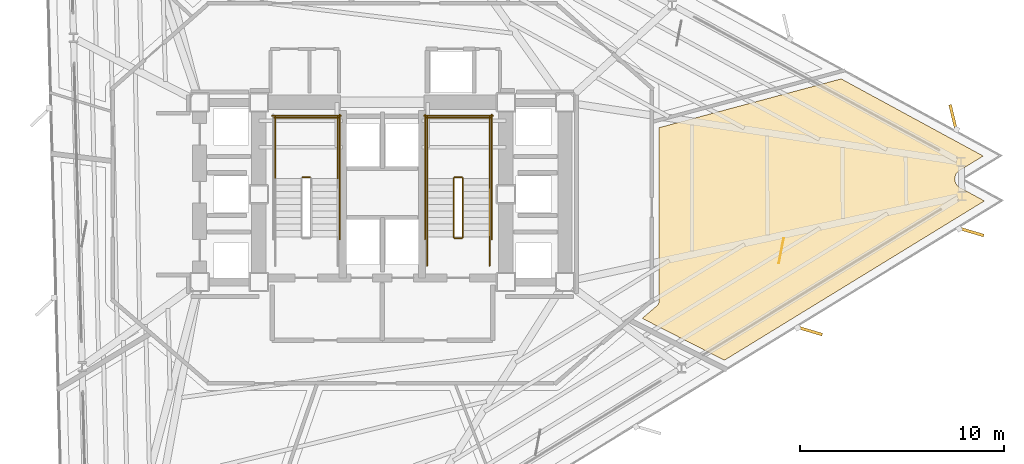
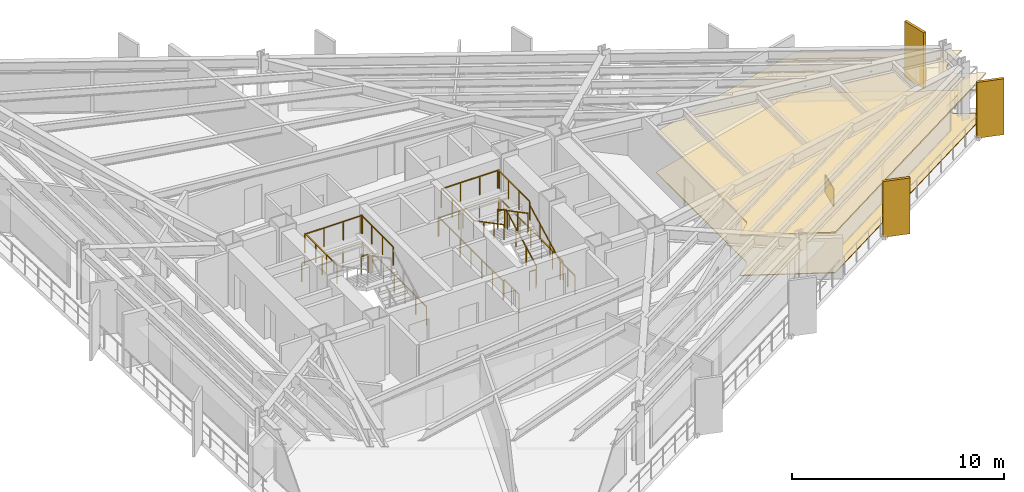
# One storey, part 13 of 14: 20 railings, 3 coverings, 3 shading devices.
"""IFC4 building model written with IfcOpenShell, lengths in metres."""

from ifc_helpers import new_model, si_unit, direction, frame, origin, origin_2d, place, context, subcontext, project, spatial, polyline, rectangle, outline, extrude, material, layer, layer_set, type_object, element, save


model = new_model("IFC4")

# Units and contexts
model_context = context("Model", 3, precision=1e-05, world=origin(), true_north=direction((0.0, 1.0)))
body_context = subcontext(model_context, "Body", "Model", "MODEL_VIEW")
ifc_project = project(units=[si_unit("LENGTHUNIT", "METRE"), si_unit("AREAUNIT", "SQUARE_METRE"), si_unit("VOLUMEUNIT", "CUBIC_METRE"), si_unit("PLANEANGLEUNIT", "RADIAN"), si_unit("MASSUNIT", "GRAM", prefix="KILO")], contexts=[model_context])

# Site, building, storey
site_placement = place(None, origin())
site = spatial("IfcSite", under=ifc_project, at=site_placement, CompositionType="ELEMENT")
building_placement = place(site_placement, origin())
building = spatial("IfcBuilding", under=site, at=building_placement, Name="Rocaltana Carrier Exchange", CompositionType="ELEMENT")
storey_placement = place(building_placement, frame((0.0, 0.0, 35.679931640625)))
storey = spatial("IfcBuildingStorey", under=building, at=storey_placement, Name="L11", CompositionType="ELEMENT", Elevation=35.679931640625)

# Coverings
ifc_material_1 = material(Name="Honed Bogota Sandstone Tile", Category="masonry")
ifc_layer_1 = layer(ifc_material_1, 0.0400390625)
ifc_layer_set_1 = layer_set([ifc_layer_1], Name="Honed Bogota Sandstone Tile")
covering_type_1 = type_object("IfcCoveringType", Name="Honed Stone Lobby Flooring 40", PredefinedType="FLOORING", material=ifc_layer_set_1)
covering_1_placement = place(storey_placement, origin())
element("IfcCovering", 1, at=covering_1_placement, inside=storey, type_object=covering_type_1, Name="L11 Executive Peering Boardroom Finish Floor", PredefinedType="FLOORING", context=body_context, shape_type="SweptSolid", body=[
    extrude(outline(polyline([(29.427490234375, 1.87109375), (28.260498046875, 1.156005859375), (28.248779296875, 1.148193359375), (28.232421875, 1.136962890625), (28.210205078125, 1.1201171875), (28.19482421875, 1.107421875), (28.17431640625, 1.08837890625), (28.160400390625, 1.073974609375), (28.14208984375, 1.052978515625), (28.129638671875, 1.03759765625), (28.11328125, 1.014892578125), (28.1025390625, 0.998046875), (28.088623046875, 0.973876953125), (28.07958984375, 0.9560546875), (28.068115234375, 0.9306640625), (28.060791015625, 0.912109375), (28.052001953125, 0.885498046875), (28.046630859375, 0.866455078125), (28.04052734375, 0.839111328125), (28.037109375, 0.819580078125), (28.03369140625, 0.791748046875), (28.031982421875, 0.77197265625), (28.031494140625, 0.743896484375), (28.031982421875, 0.72412109375), (28.0341796875, 0.6962890625), (28.03662109375, 0.676513671875), (28.04150390625, 0.64892578125), (28.0458984375, 0.629638671875), (28.053466796875, 0.602783203125), (28.059814453125, 0.583740234375), (28.070068359375, 0.557861328125), (28.078369140625, 0.539794921875), (28.091064453125, 0.514892578125), (28.10107421875, 0.49755859375), (28.1162109375, 0.47412109375), (28.1279296875, 0.4580078125), (28.1455078125, 0.436279296875), (28.15869140625, 0.421142578125), (28.177978515625, 0.4013671875), (28.192626953125, 0.3876953125), (28.214111328125, 0.369873046875), (28.22998046875, 0.35791015625), (28.253173828125, 0.342041015625), (28.270263671875, 0.331787109375), (28.2822265625, 0.32470703125), (29.485107421875, -0.328369140625), (16.751708984375, -8.13134765625), (12.728515625, -6.08154296875), (13.43505859375, -5.47265625), (13.44482421875, -5.4638671875), (13.450439453125, -5.45849609375), (13.468994140625, -5.439208984375), (13.47412109375, -5.433349609375), (13.490478515625, -5.41259765625), (13.4951171875, -5.40625), (13.509521484375, -5.3837890625), (13.51318359375, -5.377197265625), (13.525634765625, -5.353515625), (13.52880859375, -5.346435546875), (13.538818359375, -5.32177734375), (13.541259765625, -5.314453125), (13.548828125, -5.288818359375), (13.550537109375, -5.281494140625), (13.5556640625, -5.255126953125), (13.556884765625, -5.24755859375), (13.559326171875, -5.220947265625), (13.559814453125, -5.21337890625), (13.56005859375, -5.199951171875), (13.56005859375, 3.2607421875), (22.470458984375, 5.648193359375), (29.427490234375, 1.87109375)])), origin(), (0.0, 0.0, 1.0), 0.0400390625),
])
ifc_material_2 = material(Name="Anodised Aluminium 6063-T6", Category="aluminium")
ifc_layer_2 = layer(ifc_material_2, 0.0849609375)
ifc_layer_set_2 = layer_set([ifc_layer_2], Name="Anodised Aluminium 6063-T6")
covering_type_2 = type_object("IfcCoveringType", Name="Linear Baffle Acoustic Ceiling 85", PredefinedType="CEILING", material=ifc_layer_set_2)
covering_2_placement = place(storey_placement, frame((0.0, 0.0, 2.282958984375)))
element("IfcCovering", 2, at=covering_2_placement, inside=storey, type_object=covering_type_2, Name="L11 Executive Peering Boardroom Acoustic Ceiling", PredefinedType="CEILING", context=body_context, shape_type="SweptSolid", body=[
    extrude(outline(polyline([(29.427490234375, 1.87109375), (28.260498046875, 1.156005859375), (28.248779296875, 1.148193359375), (28.232421875, 1.136962890625), (28.210205078125, 1.1201171875), (28.19482421875, 1.107421875), (28.17431640625, 1.08837890625), (28.160400390625, 1.073974609375), (28.14208984375, 1.052978515625), (28.129638671875, 1.03759765625), (28.11328125, 1.014892578125), (28.1025390625, 0.998046875), (28.088623046875, 0.973876953125), (28.07958984375, 0.9560546875), (28.068115234375, 0.9306640625), (28.060791015625, 0.912109375), (28.052001953125, 0.885498046875), (28.046630859375, 0.866455078125), (28.04052734375, 0.839111328125), (28.037109375, 0.819580078125), (28.03369140625, 0.791748046875), (28.031982421875, 0.77197265625), (28.031494140625, 0.743896484375), (28.031982421875, 0.72412109375), (28.0341796875, 0.6962890625), (28.03662109375, 0.676513671875), (28.04150390625, 0.64892578125), (28.0458984375, 0.629638671875), (28.053466796875, 0.602783203125), (28.059814453125, 0.583740234375), (28.070068359375, 0.557861328125), (28.078369140625, 0.539794921875), (28.091064453125, 0.514892578125), (28.10107421875, 0.49755859375), (28.1162109375, 0.47412109375), (28.1279296875, 0.4580078125), (28.1455078125, 0.436279296875), (28.15869140625, 0.421142578125), (28.177978515625, 0.4013671875), (28.192626953125, 0.3876953125), (28.214111328125, 0.369873046875), (28.22998046875, 0.35791015625), (28.253173828125, 0.342041015625), (28.270263671875, 0.331787109375), (28.2822265625, 0.32470703125), (29.485107421875, -0.328369140625), (16.751708984375, -8.13134765625), (12.728515625, -6.08154296875), (13.43505859375, -5.47265625), (13.44482421875, -5.4638671875), (13.450439453125, -5.45849609375), (13.468994140625, -5.439208984375), (13.47412109375, -5.433349609375), (13.490478515625, -5.41259765625), (13.4951171875, -5.40625), (13.509521484375, -5.3837890625), (13.51318359375, -5.377197265625), (13.525634765625, -5.353515625), (13.52880859375, -5.346435546875), (13.538818359375, -5.32177734375), (13.541259765625, -5.314453125), (13.548828125, -5.288818359375), (13.550537109375, -5.281494140625), (13.5556640625, -5.255126953125), (13.556884765625, -5.24755859375), (13.559326171875, -5.220947265625), (13.559814453125, -5.21337890625), (13.56005859375, -5.199951171875), (13.56005859375, 3.2607421875), (22.470458984375, 5.648193359375), (29.427490234375, 1.87109375)])), origin(), (0.0, 0.0, 1.0), 0.085205078125),
])

# Railings
ifc_material_3 = material(Name="Brushed Architectural Stainless Tube", Category="steel")
ifc_layer_3 = layer(ifc_material_3, 0.048095703125)
ifc_layer_set_3 = layer_set([ifc_layer_3], Name="Brushed Architectural Stainless Tube")
railing_type_1 = type_object("IfcRailingType", Name="Stair Wall Handrail 920", PredefinedType="HANDRAIL", material=ifc_layer_set_3)
railing_1_placement = place(storey_placement, frame((5.25, -2.10009765625, 0.16796875)))
element("IfcRailing", 3, at=railing_1_placement, inside=storey, type_object=railing_type_1, Name="L11 ST-2 stair handrail 1", PredefinedType="HANDRAIL", context=body_context, shape_type="SweptSolid", body=[
    extrude(rectangle(XDim=0.048095703125, YDim=0.048095703125, at=origin_2d()), frame((0.0, 0.0, 0.8759765625), z_axis=(0.0, 0.8853801414, 0.46486772873), x_axis=(-1.0, 0.0, 0.0)), (0.0, 0.0, 1.0), 3.2529296875),
    extrude(rectangle(XDim=0.0419921875, YDim=0.0419921875, at=origin_2d()), origin(), (0.0, 0.0, 1.0), 0.851806640625),
    extrude(rectangle(XDim=0.0419921875, YDim=0.0419921875, at=origin_2d()), frame((0.0, 0.9599609375, 0.504150390625)), (0.0, 0.0, 1.0), 0.851806640625),
    extrude(rectangle(XDim=0.0419921875, YDim=0.0419921875, at=origin_2d()), frame((0.0, 1.920166015625, 1.008056640625)), (0.0, 0.0, 1.0), 0.851806640625),
    extrude(rectangle(XDim=0.0419921875, YDim=0.0419921875, at=origin_2d()), frame((0.0, 2.880126953125, 1.51220703125)), (0.0, 0.0, 1.0), 0.851806640625),
])
railing_2_placement = place(storey_placement, frame((2.18994140625, 0.780029296875, 1.84814453125)))
element("IfcRailing", 4, at=railing_2_placement, inside=storey, type_object=railing_type_1, Name="L11 ST-2 stair handrail 2", PredefinedType="HANDRAIL", context=body_context, shape_type="SweptSolid", body=[
    extrude(rectangle(XDim=0.048095703125, YDim=0.048095703125, at=origin_2d()), frame((0.0, 0.0, 0.8759765625), z_axis=(0.0, -0.885411030485, 0.464808893091), x_axis=(1.0, 0.0, 0.0)), (0.0, 0.0, 1.0), 3.2529296875),
    extrude(rectangle(XDim=0.0419921875, YDim=0.0419921875, at=origin_2d()), origin(), (0.0, 0.0, 1.0), 0.851806640625),
    extrude(rectangle(XDim=0.0419921875, YDim=0.0419921875, at=origin_2d()), frame((0.0, -0.9599609375, 0.50390625)), (0.0, 0.0, 1.0), 0.851806640625),
    extrude(rectangle(XDim=0.0419921875, YDim=0.0419921875, at=origin_2d()), frame((0.0, -1.920166015625, 1.008056640625)), (0.0, 0.0, 1.0), 0.851806640625),
    extrude(rectangle(XDim=0.0419921875, YDim=0.0419921875, at=origin_2d()), frame((0.0, -2.880126953125, 1.511962890625)), (0.0, 0.0, 1.0), 0.851806640625),
])
ifc_material_4 = material(Name="Powder-Coated Aluminium 6063-T6", Category="aluminium")
ifc_layer_4 = layer(ifc_material_4, 0.048095703125)
ifc_layer_set_4 = layer_set([ifc_layer_4], Name="Powder-Coated Aluminium 6063-T6")
railing_type_2 = type_object("IfcRailingType", Name="Stair Well Guardrail 1100", PredefinedType="GUARDRAIL", material=ifc_layer_set_4)
railing_3_placement = place(storey_placement, frame((-3.5400390625, 0.830078125, 1.68017578125)))
element("IfcRailing", 5, at=railing_3_placement, inside=storey, type_object=railing_type_2, Name="L11 ST-1 stair guard 2", PredefinedType="GUARDRAIL", context=body_context, shape_type="SweptSolid", body=[
    extrude(rectangle(XDim=0.048095703125, YDim=0.048095703125, at=origin_2d()), frame((0.0, 0.0, 1.076171875), z_axis=(-1.0, 0.0, 0.0), x_axis=(0.0, -1.0, 0.0)), (0.0, 0.0, 1.0), 0.35986328125),
    extrude(rectangle(XDim=0.0419921875, YDim=0.0419921875, at=origin_2d()), origin(), (0.0, 0.0, 1.0), 1.052001953125),
    extrude(rectangle(XDim=0.0419921875, YDim=0.0419921875, at=origin_2d()), frame((-0.35986328125, 0.0, 0.0)), (0.0, 0.0, 1.0), 1.052001953125),
])
for number, where, name in (
    (6, (-2.18994140625, 0.780029296875, 1.68017578125), "L11 ST-1 stair guard 3"),
    (7, (-5.25, 0.780029296875, 1.68017578125), "L11 ST-1 stair guard 4"),
):
    element("IfcRailing", number, at=place(storey_placement, frame(where)), inside=storey, type_object=railing_type_2, Name=name, PredefinedType="GUARDRAIL", context=body_context, shape_type="SweptSolid", body=[
        extrude(rectangle(XDim=0.048095703125, YDim=0.048095703125, at=origin_2d()), frame((0.0, 0.0, 1.076171875), z_axis=(0.0, 1.0, 0.0), x_axis=(-1.0, 0.0, 0.0)), (0.0, 0.0, 1.0), 3.02001953125),
        extrude(rectangle(XDim=0.0419921875, YDim=0.0419921875, at=origin_2d()), origin(), (0.0, 0.0, 1.0), 1.052001953125),
        extrude(rectangle(XDim=0.0419921875, YDim=0.0419921875, at=origin_2d()), frame((0.0, 1.006591796875, 0.0)), (0.0, 0.0, 1.0), 1.052001953125),
        extrude(rectangle(XDim=0.0419921875, YDim=0.0419921875, at=origin_2d()), frame((0.0, 2.013427734375, 0.0)), (0.0, 0.0, 1.0), 1.052001953125),
        extrude(rectangle(XDim=0.0419921875, YDim=0.0419921875, at=origin_2d()), frame((0.0, 3.02001953125, 0.0)), (0.0, 0.0, 1.0), 1.052001953125),
    ])
railing_4_placement = place(storey_placement, frame((-2.139892578125, 3.75, 1.68017578125)))
element("IfcRailing", 8, at=railing_4_placement, inside=storey, type_object=railing_type_2, Name="L11 ST-1 stair guard 5", PredefinedType="GUARDRAIL", context=body_context, shape_type="SweptSolid", body=[
    extrude(rectangle(XDim=0.048095703125, YDim=0.048095703125, at=origin_2d()), frame((0.0, 0.0, 1.076171875), z_axis=(-1.0, 0.0, 0.0), x_axis=(0.0, -1.0, 0.0)), (0.0, 0.0, 1.0), 3.16015625),
    extrude(rectangle(XDim=0.0419921875, YDim=0.0419921875, at=origin_2d()), origin(), (0.0, 0.0, 1.0), 1.052001953125),
    extrude(rectangle(XDim=0.0419921875, YDim=0.0419921875, at=origin_2d()), frame((-1.053466796875, 0.0, 0.0)), (0.0, 0.0, 1.0), 1.052001953125),
    extrude(rectangle(XDim=0.0419921875, YDim=0.0419921875, at=origin_2d()), frame((-2.106689453125, 0.0, 0.0)), (0.0, 0.0, 1.0), 1.052001953125),
    extrude(rectangle(XDim=0.0419921875, YDim=0.0419921875, at=origin_2d()), frame((-3.16015625, 0.0, 0.0)), (0.0, 0.0, 1.0), 1.052001953125),
])
railing_5_placement = place(storey_placement, frame((-2.090087890625, -2.199951171875, 0.0)))
element("IfcRailing", 9, at=railing_5_placement, inside=storey, type_object=railing_type_2, Name="L11 ST-1 stair guard 10", PredefinedType="GUARDRAIL", context=body_context, shape_type="SweptSolid", body=[
    extrude(rectangle(XDim=0.048095703125, YDim=0.048095703125, at=origin_2d()), frame((0.0, 0.0, 1.076171875), z_axis=(0.0, 1.0, 0.0), x_axis=(-1.0, 0.0, 0.0)), (0.0, 0.0, 1.0), 6.099853515625),
    extrude(rectangle(XDim=0.0419921875, YDim=0.0419921875, at=origin_2d()), origin(), (0.0, 0.0, 1.0), 1.052001953125),
    extrude(rectangle(XDim=0.0419921875, YDim=0.0419921875, at=origin_2d()), frame((0.0, 1.0166015625, 0.0)), (0.0, 0.0, 1.0), 1.052001953125),
    extrude(rectangle(XDim=0.0419921875, YDim=0.0419921875, at=origin_2d()), frame((0.0, 2.033203125, 0.0)), (0.0, 0.0, 1.0), 1.052001953125),
    extrude(rectangle(XDim=0.0419921875, YDim=0.0419921875, at=origin_2d()), frame((0.0, 3.0498046875, 0.0)), (0.0, 0.0, 1.0), 1.052001953125),
    extrude(rectangle(XDim=0.0419921875, YDim=0.0419921875, at=origin_2d()), frame((0.0, 4.066650390625, 0.0)), (0.0, 0.0, 1.0), 1.052001953125),
    extrude(rectangle(XDim=0.0419921875, YDim=0.0419921875, at=origin_2d()), frame((0.0, 5.083251953125, 0.0)), (0.0, 0.0, 1.0), 1.052001953125),
    extrude(rectangle(XDim=0.0419921875, YDim=0.0419921875, at=origin_2d()), frame((0.0, 6.099853515625, 0.0)), (0.0, 0.0, 1.0), 1.052001953125),
])
railing_6_placement = place(storey_placement, frame((-2.0400390625, 3.85009765625, 0.0)))
element("IfcRailing", 10, at=railing_6_placement, inside=storey, type_object=railing_type_2, Name="L11 ST-1 stair guard 12", PredefinedType="GUARDRAIL", context=body_context, shape_type="SweptSolid", body=[
    extrude(rectangle(XDim=0.048095703125, YDim=0.048095703125, at=origin_2d()), frame((0.0, 0.0, 1.076171875), z_axis=(-1.0, 0.0, 0.0), x_axis=(0.0, -1.0, 0.0)), (0.0, 0.0, 1.0), 3.35986328125),
    extrude(rectangle(XDim=0.0419921875, YDim=0.0419921875, at=origin_2d()), origin(), (0.0, 0.0, 1.0), 1.052001953125),
    extrude(rectangle(XDim=0.0419921875, YDim=0.0419921875, at=origin_2d()), frame((-1.119873046875, 0.0, 0.0)), (0.0, 0.0, 1.0), 1.052001953125),
    extrude(rectangle(XDim=0.0419921875, YDim=0.0419921875, at=origin_2d()), frame((-2.239990234375, 0.0, 0.0)), (0.0, 0.0, 1.0), 1.052001953125),
    extrude(rectangle(XDim=0.0419921875, YDim=0.0419921875, at=origin_2d()), frame((-3.35986328125, 0.0, 0.0)), (0.0, 0.0, 1.0), 1.052001953125),
])
railing_7_placement = place(storey_placement, frame((3.949951171875, -2.10009765625, 0.16796875)))
element("IfcRailing", 11, at=railing_7_placement, inside=storey, type_object=railing_type_2, Name="L11 ST-2 stair guard 1", PredefinedType="GUARDRAIL", context=body_context, shape_type="SweptSolid", body=[
    extrude(rectangle(XDim=0.048095703125, YDim=0.048095703125, at=origin_2d()), frame((0.0, 0.0, 1.076171875), z_axis=(0.0, 0.8853801414, 0.46486772873), x_axis=(-1.0, 0.0, 0.0)), (0.0, 0.0, 1.0), 3.2529296875),
    extrude(rectangle(XDim=0.0419921875, YDim=0.0419921875, at=origin_2d()), origin(), (0.0, 0.0, 1.0), 1.052001953125),
    extrude(rectangle(XDim=0.0419921875, YDim=0.0419921875, at=origin_2d()), frame((0.0, 0.9599609375, 0.504150390625)), (0.0, 0.0, 1.0), 1.052001953125),
    extrude(rectangle(XDim=0.0419921875, YDim=0.0419921875, at=origin_2d()), frame((0.0, 1.920166015625, 1.008056640625)), (0.0, 0.0, 1.0), 1.052001953125),
    extrude(rectangle(XDim=0.0419921875, YDim=0.0419921875, at=origin_2d()), frame((0.0, 2.880126953125, 1.51220703125)), (0.0, 0.0, 1.0), 1.052001953125),
])
railing_8_placement = place(storey_placement, frame((3.89990234375, 0.830078125, 1.68017578125)))
element("IfcRailing", 12, at=railing_8_placement, inside=storey, type_object=railing_type_2, Name="L11 ST-2 stair guard 2", PredefinedType="GUARDRAIL", context=body_context, shape_type="SweptSolid", body=[
    extrude(rectangle(XDim=0.048095703125, YDim=0.048095703125, at=origin_2d()), frame((0.0, 0.0, 1.076171875), z_axis=(-1.0, 0.0, 0.0), x_axis=(0.0, -1.0, 0.0)), (0.0, 0.0, 1.0), 0.35986328125),
    extrude(rectangle(XDim=0.0419921875, YDim=0.0419921875, at=origin_2d()), origin(), (0.0, 0.0, 1.0), 1.052001953125),
    extrude(rectangle(XDim=0.0419921875, YDim=0.0419921875, at=origin_2d()), frame((-0.35986328125, 0.0, 0.0)), (0.0, 0.0, 1.0), 1.052001953125),
])
for number, where, name in (
    (13, (5.25, 0.780029296875, 1.68017578125), "L11 ST-2 stair guard 3"),
    (14, (2.18994140625, 0.780029296875, 1.68017578125), "L11 ST-2 stair guard 4"),
):
    element("IfcRailing", number, at=place(storey_placement, frame(where)), inside=storey, type_object=railing_type_2, Name=name, PredefinedType="GUARDRAIL", context=body_context, shape_type="SweptSolid", body=[
        extrude(rectangle(XDim=0.048095703125, YDim=0.048095703125, at=origin_2d()), frame((0.0, 0.0, 1.076171875), z_axis=(0.0, 1.0, 0.0), x_axis=(-1.0, 0.0, 0.0)), (0.0, 0.0, 1.0), 3.02001953125),
        extrude(rectangle(XDim=0.0419921875, YDim=0.0419921875, at=origin_2d()), origin(), (0.0, 0.0, 1.0), 1.052001953125),
        extrude(rectangle(XDim=0.0419921875, YDim=0.0419921875, at=origin_2d()), frame((0.0, 1.006591796875, 0.0)), (0.0, 0.0, 1.0), 1.052001953125),
        extrude(rectangle(XDim=0.0419921875, YDim=0.0419921875, at=origin_2d()), frame((0.0, 2.013427734375, 0.0)), (0.0, 0.0, 1.0), 1.052001953125),
        extrude(rectangle(XDim=0.0419921875, YDim=0.0419921875, at=origin_2d()), frame((0.0, 3.02001953125, 0.0)), (0.0, 0.0, 1.0), 1.052001953125),
    ])
railing_9_placement = place(storey_placement, frame((5.300048828125, 3.75, 1.68017578125)))
element("IfcRailing", 15, at=railing_9_placement, inside=storey, type_object=railing_type_2, Name="L11 ST-2 stair guard 5", PredefinedType="GUARDRAIL", context=body_context, shape_type="SweptSolid", body=[
    extrude(rectangle(XDim=0.048095703125, YDim=0.048095703125, at=origin_2d()), frame((0.0, 0.0, 1.076171875), z_axis=(-1.0, 0.0, 0.0), x_axis=(0.0, -1.0, 0.0)), (0.0, 0.0, 1.0), 3.16015625),
    extrude(rectangle(XDim=0.0419921875, YDim=0.0419921875, at=origin_2d()), origin(), (0.0, 0.0, 1.0), 1.052001953125),
    extrude(rectangle(XDim=0.0419921875, YDim=0.0419921875, at=origin_2d()), frame((-1.053466796875, 0.0, 0.0)), (0.0, 0.0, 1.0), 1.052001953125),
    extrude(rectangle(XDim=0.0419921875, YDim=0.0419921875, at=origin_2d()), frame((-2.106689453125, 0.0, 0.0)), (0.0, 0.0, 1.0), 1.052001953125),
    extrude(rectangle(XDim=0.0419921875, YDim=0.0419921875, at=origin_2d()), frame((-3.16015625, 0.0, 0.0)), (0.0, 0.0, 1.0), 1.052001953125),
])
railing_10_placement = place(storey_placement, frame((3.489990234375, 0.780029296875, 1.84814453125)))
element("IfcRailing", 16, at=railing_10_placement, inside=storey, type_object=railing_type_2, Name="L11 ST-2 stair guard 6", PredefinedType="GUARDRAIL", context=body_context, shape_type="SweptSolid", body=[
    extrude(rectangle(XDim=0.048095703125, YDim=0.048095703125, at=origin_2d()), frame((0.0, 0.0, 1.076171875), z_axis=(0.0, -0.885411030485, 0.464808893091), x_axis=(1.0, 0.0, 0.0)), (0.0, 0.0, 1.0), 3.2529296875),
    extrude(rectangle(XDim=0.0419921875, YDim=0.0419921875, at=origin_2d()), origin(), (0.0, 0.0, 1.0), 1.052001953125),
    extrude(rectangle(XDim=0.0419921875, YDim=0.0419921875, at=origin_2d()), frame((0.0, -0.9599609375, 0.50390625)), (0.0, 0.0, 1.0), 1.052001953125),
    extrude(rectangle(XDim=0.0419921875, YDim=0.0419921875, at=origin_2d()), frame((0.0, -1.920166015625, 1.008056640625)), (0.0, 0.0, 1.0), 1.052001953125),
    extrude(rectangle(XDim=0.0419921875, YDim=0.0419921875, at=origin_2d()), frame((0.0, -2.880126953125, 1.511962890625)), (0.0, 0.0, 1.0), 1.052001953125),
])
railing_11_placement = place(storey_placement, frame((3.89990234375, -2.14990234375, 0.0)))
element("IfcRailing", 17, at=railing_11_placement, inside=storey, type_object=railing_type_2, Name="L11 ST-2 stair guard 7", PredefinedType="GUARDRAIL", context=body_context, shape_type="SweptSolid", body=[
    extrude(rectangle(XDim=0.048095703125, YDim=0.048095703125, at=origin_2d()), frame((0.0, 0.0, 1.076171875), z_axis=(-1.0, 0.0, 0.0), x_axis=(0.0, -1.0, 0.0)), (0.0, 0.0, 1.0), 0.35986328125),
    extrude(rectangle(XDim=0.0419921875, YDim=0.0419921875, at=origin_2d()), origin(), (0.0, 0.0, 1.0), 1.052001953125),
    extrude(rectangle(XDim=0.0419921875, YDim=0.0419921875, at=origin_2d()), frame((-0.35986328125, 0.0, 0.0)), (0.0, 0.0, 1.0), 1.052001953125),
])
for number, where, name in (
    (18, (5.25, -3.5, 0.0), "L11 ST-2 stair guard 8"),
    (19, (2.18994140625, -3.5, 0.0), "L11 ST-2 stair guard 9"),
):
    element("IfcRailing", number, at=place(storey_placement, frame(where)), inside=storey, type_object=railing_type_2, Name=name, PredefinedType="GUARDRAIL", context=body_context, shape_type="SweptSolid", body=[
        extrude(rectangle(XDim=0.048095703125, YDim=0.048095703125, at=origin_2d()), frame((0.0, 0.0, 1.076171875), z_axis=(0.0, 1.0, 0.0), x_axis=(-1.0, 0.0, 0.0)), (0.0, 0.0, 1.0), 1.39990234375),
        extrude(rectangle(XDim=0.0419921875, YDim=0.0419921875, at=origin_2d()), origin(), (0.0, 0.0, 1.0), 1.052001953125),
        extrude(rectangle(XDim=0.0419921875, YDim=0.0419921875, at=origin_2d()), frame((0.0, 0.699951171875, 0.0)), (0.0, 0.0, 1.0), 1.052001953125),
        extrude(rectangle(XDim=0.0419921875, YDim=0.0419921875, at=origin_2d()), frame((0.0, 1.39990234375, 0.0)), (0.0, 0.0, 1.0), 1.052001953125),
    ])
for number, where, name in (
    (20, (5.35009765625, -2.199951171875, 0.0), "L11 ST-2 stair guard 10"),
    (21, (2.090087890625, -2.199951171875, 0.0), "L11 ST-2 stair guard 11"),
):
    element("IfcRailing", number, at=place(storey_placement, frame(where)), inside=storey, type_object=railing_type_2, Name=name, PredefinedType="GUARDRAIL", context=body_context, shape_type="SweptSolid", body=[
        extrude(rectangle(XDim=0.048095703125, YDim=0.048095703125, at=origin_2d()), frame((0.0, 0.0, 1.076171875), z_axis=(0.0, 1.0, 0.0), x_axis=(-1.0, 0.0, 0.0)), (0.0, 0.0, 1.0), 6.099853515625),
        extrude(rectangle(XDim=0.0419921875, YDim=0.0419921875, at=origin_2d()), origin(), (0.0, 0.0, 1.0), 1.052001953125),
        extrude(rectangle(XDim=0.0419921875, YDim=0.0419921875, at=origin_2d()), frame((0.0, 1.0166015625, 0.0)), (0.0, 0.0, 1.0), 1.052001953125),
        extrude(rectangle(XDim=0.0419921875, YDim=0.0419921875, at=origin_2d()), frame((0.0, 2.033203125, 0.0)), (0.0, 0.0, 1.0), 1.052001953125),
        extrude(rectangle(XDim=0.0419921875, YDim=0.0419921875, at=origin_2d()), frame((0.0, 3.0498046875, 0.0)), (0.0, 0.0, 1.0), 1.052001953125),
        extrude(rectangle(XDim=0.0419921875, YDim=0.0419921875, at=origin_2d()), frame((0.0, 4.066650390625, 0.0)), (0.0, 0.0, 1.0), 1.052001953125),
        extrude(rectangle(XDim=0.0419921875, YDim=0.0419921875, at=origin_2d()), frame((0.0, 5.083251953125, 0.0)), (0.0, 0.0, 1.0), 1.052001953125),
        extrude(rectangle(XDim=0.0419921875, YDim=0.0419921875, at=origin_2d()), frame((0.0, 6.099853515625, 0.0)), (0.0, 0.0, 1.0), 1.052001953125),
    ])
railing_12_placement = place(storey_placement, frame((5.39990234375, 3.85009765625, 0.0)))
element("IfcRailing", 22, at=railing_12_placement, inside=storey, type_object=railing_type_2, Name="L11 ST-2 stair guard 12", PredefinedType="GUARDRAIL", context=body_context, shape_type="SweptSolid", body=[
    extrude(rectangle(XDim=0.048095703125, YDim=0.048095703125, at=origin_2d()), frame((0.0, 0.0, 1.076171875), z_axis=(-1.0, 0.0, 0.0), x_axis=(0.0, -1.0, 0.0)), (0.0, 0.0, 1.0), 3.35986328125),
    extrude(rectangle(XDim=0.0419921875, YDim=0.0419921875, at=origin_2d()), origin(), (0.0, 0.0, 1.0), 1.052001953125),
    extrude(rectangle(XDim=0.0419921875, YDim=0.0419921875, at=origin_2d()), frame((-1.119873046875, 0.0, 0.0)), (0.0, 0.0, 1.0), 1.052001953125),
    extrude(rectangle(XDim=0.0419921875, YDim=0.0419921875, at=origin_2d()), frame((-2.239990234375, 0.0, 0.0)), (0.0, 0.0, 1.0), 1.052001953125),
    extrude(rectangle(XDim=0.0419921875, YDim=0.0419921875, at=origin_2d()), frame((-3.35986328125, 0.0, 0.0)), (0.0, 0.0, 1.0), 1.052001953125),
])

# Covering
ifc_material_5 = material(Name="Honed Piedra Muneca Sandstone", Category="masonry")
ifc_layer_5 = layer(ifc_material_5, 0.034912109375)
ifc_layer_set_5 = layer_set([ifc_layer_5], Name="Honed Piedra Muneca Sandstone")
covering_type_3 = type_object("IfcCoveringType", Name="Stone Facade Cladding 35", PredefinedType="CLADDING", material=ifc_layer_set_5)
covering_3_placement = place(storey_placement, frame((19.53515625, -2.76416015625, 0.0), z_axis=(0.0, 0.0, 1.0), x_axis=(0.190808995377, 0.981627183448, 0.0)))
element("IfcCovering", 23, at=covering_3_placement, inside=storey, type_object=covering_type_3, Name="L11 Stone Facade Cladding Panel 5", PredefinedType="CLADDING", context=body_context, shape_type="SweptSolid", body=[
    extrude(rectangle(XDim=1.25, YDim=0.034912109375, at=origin_2d()), origin(), (0.0, 0.0, 1.0), 1.050048828125),
])

# Shading devices
ifc_material_6 = material(Name="Honed Bogota Sandstone & Concrete C45/55", Category="masonry")
ifc_layer_6 = layer(ifc_material_6, 0.139892578125)
ifc_layer_set_6 = layer_set([ifc_layer_6], Name="Honed Bogota Sandstone & Concrete C45/55")
shading_device_type = type_object("IfcShadingDeviceType", Name="Vertical Sandstone Shading Fin 1320x140", PredefinedType="USERDEFINED", material=ifc_layer_set_6)
for number, where, z_axis, x_axis, name in (
    (24, (27.95751953125, 3.739501953125, -0.1201171875), (0.0, 0.0, 1.0), (-0.233445363856, 0.972369920398, 0.0), "L11 Sandstone Vertical Fin F1-01"),
    (25, (20.909912109375, -6.6865234375, -0.1201171875), (0.0, 0.0, 1.0), (0.958819734868, -0.284015344704, 0.0), "L11 Sandstone Vertical Fin F3-05"),
    (26, (28.822265625, -1.837646484375, -0.1201171875), (0.0, 0.0, 1.0), (0.958819734868, -0.284015344704, 0.0), "L11 Sandstone Vertical Fin F3-06"),
):
    element("IfcShadingDevice", number, at=place(storey_placement, frame(where, z_axis=z_axis, x_axis=x_axis)), inside=storey, type_object=shading_device_type, Name=name, ObjectType="FIN", PredefinedType="USERDEFINED", context=body_context, shape_type="SweptSolid", body=[
        extrude(rectangle(XDim=1.320068359375, YDim=0.139892578125, at=origin_2d()), origin(), (0.0, 0.0, 1.0), 3.218017578125),
    ])

save(model, "model.ifc")
